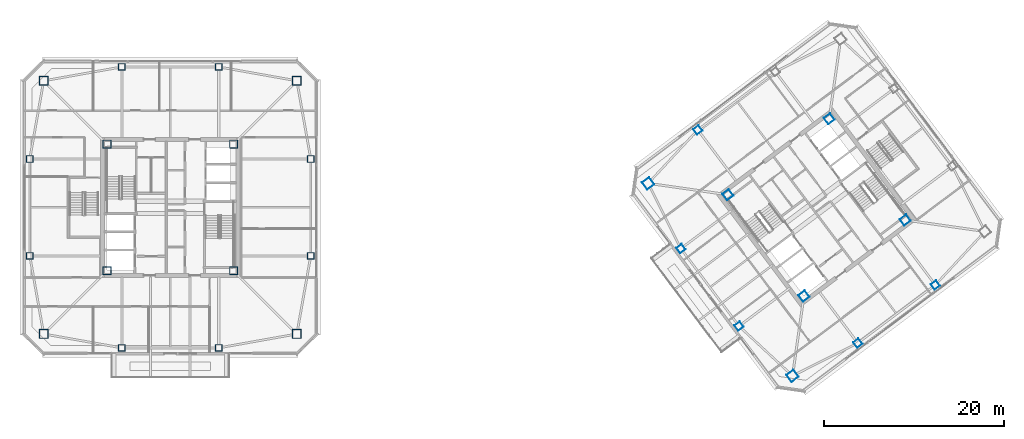
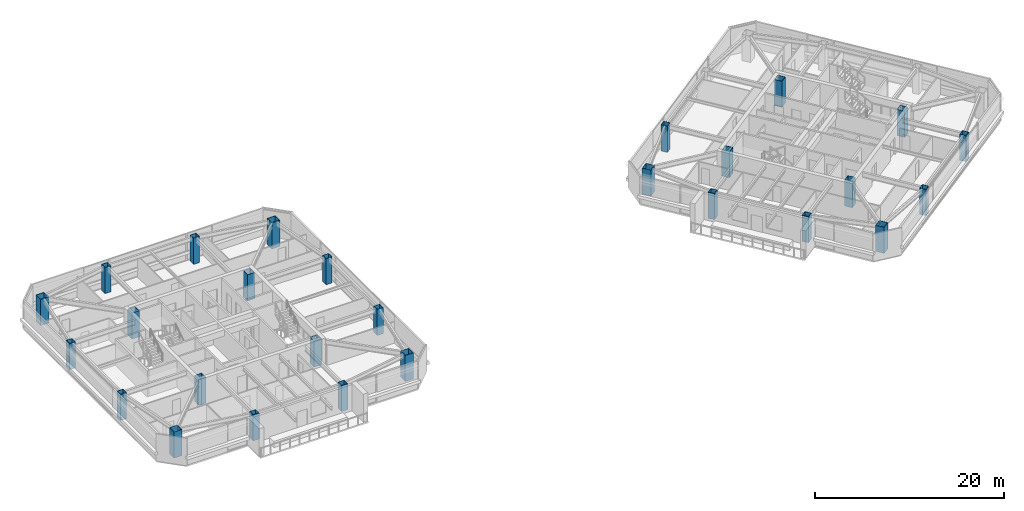
# One storey, part 1 of 39: 27 columns.
"""IFC4 building model written with IfcOpenShell, lengths in metres."""

import ifcopenshell
import ifcopenshell.guid

model = None  # the IFC model being written
_history = None  # IfcOwnerHistory: only IFC2X3 demands one
_inside = {}  # id of a spatial element -> (the spatial element, [elements in it])
_under = {}  # id of a project, library or spatial element -> (it, [spatial elements below it])
_declared = {}  # id of a project -> (the project, [libraries it declares])
_typed = {}  # id of a type object -> (the type object, [elements of that type])
_made_of = {}  # id of a material, layer set ... -> (it, [elements and type objects made of it])


def new_model(schema):
    """Start an empty IFC model of exactly this schema.

    Asked for "IFC4X3", IfcOpenShell would pick the latest addendum, in which some entities
    have other attributes; the version numbers below select the first issue.
    IFC2X3 requires an IfcOwnerHistory on every rooted entity: one is made here for all.
    """
    global model, _history
    if schema == "IFC4X3":
        model = ifcopenshell.file(schema_version=(4, 3, 0, 0))
    else:
        model = ifcopenshell.file(schema=schema)
    _inside.clear()
    _under.clear()
    _declared.clear()
    _typed.clear()
    _made_of.clear()
    _history = None
    if model.schema == "IFC2X3":
        org = make("IfcOrganization", Name="unknown")
        user = make(
            "IfcPersonAndOrganization",
            ThePerson=make("IfcPerson", FamilyName="unknown"),
            TheOrganization=org,
        )
        app = make(
            "IfcApplication",
            ApplicationDeveloper=org,
            Version="unknown",
            ApplicationFullName="unknown",
            ApplicationIdentifier="unknown",
        )
        _history = make(
            "IfcOwnerHistory",
            OwningUser=user,
            OwningApplication=app,
            ChangeAction="ADDED",
            CreationDate=0,
        )
    return model


def make(cls, **values):
    """One entity of the class cls with the attributes given. An attribute that is None is left unset."""
    return model.create_entity(
        cls, **{name: value for name, value in values.items() if value is not None}
    )


def rooted(cls, **values):
    """An entity with a GlobalId (a new one), such as an element, a storey or a relation."""
    return make(cls, GlobalId=ifcopenshell.guid.new(), OwnerHistory=_history, **values)


def si_unit(unit_type, name, prefix=None):
    """IfcSIUnit, for example si_unit("LENGTHUNIT", "METRE", prefix="MILLI")."""
    return make("IfcSIUnit", UnitType=unit_type, Prefix=prefix, Name=name)


def assignment(units):
    """IfcUnitAssignment: the units of a project."""
    return None if units is None else make("IfcUnitAssignment", Units=units)


def point(xyz):
    """IfcCartesianPoint."""
    return None if xyz is None else make("IfcCartesianPoint", Coordinates=xyz)


def direction(xyz):
    """IfcDirection."""
    return None if xyz is None else make("IfcDirection", DirectionRatios=xyz)


def frame(location, z_axis=None, x_axis=None):
    """IfcAxis2Placement3D, a coordinate frame: its origin and axes. An axis left out is left unset."""
    return make(
        "IfcAxis2Placement3D",
        Location=point(location),
        Axis=direction(z_axis),
        RefDirection=direction(x_axis),
    )


def frame_2d(location, x_axis=None):
    """IfcAxis2Placement2D, a coordinate frame in the plane: its origin and x axis."""
    return make(
        "IfcAxis2Placement2D", Location=point(location), RefDirection=direction(x_axis)
    )


def origin():
    """The frame at (0, 0, 0) with its axes left unset."""
    return frame((0.0, 0.0, 0.0))


def origin_2d():
    """The frame at (0, 0) in the plane with its x axis left unset."""
    return frame_2d((0.0, 0.0))


def place(relative_to, where):
    """IfcLocalPlacement: puts the frame where relative to a parent placement (None: the world)."""
    return make(
        "IfcLocalPlacement", PlacementRelTo=relative_to, RelativePlacement=where
    )


def context(
    kind, dimensions, precision=None, world=None, true_north=None, identifier=None
):
    """IfcGeometricRepresentationContext, for example the 3D "Model" context."""
    return make(
        "IfcGeometricRepresentationContext",
        ContextIdentifier=identifier,
        ContextType=kind,
        CoordinateSpaceDimension=dimensions,
        Precision=precision,
        WorldCoordinateSystem=world,
        TrueNorth=true_north,
    )


def subcontext(parent, identifier, kind, view, scale=None):
    """IfcGeometricRepresentationSubContext, for example "Body" below "Model"."""
    return make(
        "IfcGeometricRepresentationSubContext",
        ContextIdentifier=identifier,
        ContextType=kind,
        ParentContext=parent,
        TargetScale=scale,
        TargetView=view,
    )


def project(units=None, contexts=None):
    """IfcProject with its units and contexts."""
    return rooted(
        "IfcProject",
        Name="project",
        RepresentationContexts=contexts,
        UnitsInContext=assignment(units),
    )


def spatial(cls, under=None, at=None, **own):
    """A site, building, storey or space (cls), placed at a placement, below another one or the project."""
    s = rooted(cls, ObjectPlacement=at, **own)
    if under is not None:
        _under.setdefault(under.id(), (under, []))[1].append(s)
    return s


def profile(cls, at=None, kind="AREA", **sizes):
    """A parametric profile (cls). Its sizes go by their IFC names, for example OverallWidth=200.0."""
    return make(cls, ProfileType=kind, Position=at, **sizes)


def hollow_rectangle(**sizes):
    """IfcRectangleHollowProfileDef."""
    return profile("IfcRectangleHollowProfileDef", **sizes)


def extrude(swept, where, along, depth):
    """IfcExtrudedAreaSolid: the profile swept, set in the frame where, extruded along a direction by depth."""
    return make(
        "IfcExtrudedAreaSolid",
        SweptArea=swept,
        Position=where,
        ExtrudedDirection=direction(along),
        Depth=depth,
    )


def shape(context_of_items, identifier, shape_type, items):
    """IfcShapeRepresentation: the items that make up one representation, for example the "Body"."""
    return make(
        "IfcShapeRepresentation",
        ContextOfItems=context_of_items,
        RepresentationIdentifier=identifier,
        RepresentationType=shape_type,
        Items=items,
    )


def material(Name=None, Category=None):
    """IfcMaterial."""
    return make("IfcMaterial", Name=Name, Category=Category)


def material_profile(
    of_material, cross_section, Name=None, Category=None, Priority=None
):
    """IfcMaterialProfile: a cross section and its material."""
    return make(
        "IfcMaterialProfile",
        Name=Name,
        Material=of_material,
        Profile=cross_section,
        Priority=Priority,
        Category=Category,
    )


def profile_set(profiles, Name=None, composite=None):
    """IfcMaterialProfileSet."""
    return make(
        "IfcMaterialProfileSet",
        Name=Name,
        MaterialProfiles=profiles,
        CompositeProfile=composite,
    )


def made_of(thing, what):
    """Note that an element or type object is made of a material, layer set ...; save() writes the relation."""
    if what is not None:
        _made_of.setdefault(what.id(), (what, []))[1].append(thing)
    return thing


def type_object(cls, material=None, **own):
    """A type object (cls), such as IfcWallType, which elements share."""
    return made_of(rooted(cls, **own), material)


def element(
    cls,
    number,
    at=None,
    inside=None,
    cuts=None,
    type_object=None,
    material=None,
    context=None,
    identifier="Body",
    shape_type=None,
    held_by="IfcProductDefinitionShape",
    body=None,
    shapes=None,
    **own,
):
    """One element of the class cls, such as IfcWall. Its Tag is "e" and its number.

    at: its placement. inside: the storey or other place that contains it. cuts: it is an
    opening in that element (IfcRelVoidsElement). A single representation is given by context,
    identifier, shape_type and body (its items); several are given by shapes. held_by: the class
    of the entity that holds the representations. save() writes the other relations.
    """
    e = rooted(cls, Tag="e%d" % number, ObjectPlacement=at, **own)
    if body is not None:
        shapes = [shape(context, identifier, shape_type, body)]
    if shapes is not None:
        e.Representation = make(held_by, Representations=shapes)
    if inside is not None:
        _inside.setdefault(inside.id(), (inside, []))[1].append(e)
    if cuts is not None:
        rooted(
            "IfcRelVoidsElement", RelatingBuildingElement=cuts, RelatedOpeningElement=e
        )
    if type_object is not None:
        _typed.setdefault(type_object.id(), (type_object, []))[1].append(e)
    return made_of(e, material)


def aggregate(whole, parts):
    """IfcRelAggregates: a whole, such as a stair, and the parts it consists of."""
    return rooted("IfcRelAggregates", RelatingObject=whole, RelatedObjects=parts)


def save(model, path):
    """Write the relations noted so far, then the file.

    IfcRelAggregates (storeys below a building ...), IfcRelContainedInSpatialStructure (elements
    in a storey), IfcRelDefinesByType, IfcRelAssociatesMaterial and IfcRelDeclares: one each for
    every whole, place, type object, material and project.
    """
    for whole, parts in _under.values():
        aggregate(whole, parts)
    for where, things in _inside.values():
        rooted(
            "IfcRelContainedInSpatialStructure",
            RelatedElements=things,
            RelatingStructure=where,
        )
    for kind, things in _typed.values():
        rooted("IfcRelDefinesByType", RelatedObjects=things, RelatingType=kind)
    for what, things in _made_of.values():
        rooted("IfcRelAssociatesMaterial", RelatedObjects=things, RelatingMaterial=what)
    for by, libraries in _declared.values():
        rooted("IfcRelDeclares", RelatingContext=by, RelatedDefinitions=libraries)
    model.write(path)


model = new_model("IFC4")

# Units and contexts
model_context = context("Model", 3, precision=1e-05, world=origin(), true_north=direction((0.0, 1.0)))
body_context = subcontext(model_context, "Body", "Model", "MODEL_VIEW")
ifc_project = project(units=[si_unit("LENGTHUNIT", "METRE"), si_unit("AREAUNIT", "SQUARE_METRE"), si_unit("VOLUMEUNIT", "CUBIC_METRE"), si_unit("PLANEANGLEUNIT", "RADIAN"), si_unit("MASSUNIT", "GRAM", prefix="KILO")], contexts=[model_context])

# Site, building, storey
site_placement = place(None, origin())
site = spatial("IfcSite", under=ifc_project, at=site_placement, CompositionType="ELEMENT")
building_placement = place(site_placement, origin())
building = spatial("IfcBuilding", under=site, at=building_placement, Name="Tashvorn Skyway Center", CompositionType="ELEMENT")
storey_placement = place(building_placement, frame((0.0, 0.0, 225.5)))
storey = spatial("IfcBuildingStorey", under=building, at=storey_placement, Name="L61", CompositionType="ELEMENT", Elevation=225.5)

# Columns
ifc_material = material(Name="Steel ASTM A572 Grade 50", Category="steel")
ifc_material_profile_1 = material_profile(ifc_material, hollow_rectangle(XDim=1.0, YDim=1.0, WallThickness=0.0400390625, at=origin_2d()), Name="BOX1000x1000x40")
ifc_profile_set_1 = profile_set([ifc_material_profile_1], Name="Steel ASTM A572 Grade 50")
column_type_1 = type_object("IfcColumnType", Name="COL-BOX1000x1000x40", PredefinedType="COLUMN", material=ifc_profile_set_1)
for number, where, z_axis, x_axis, name in (
    (1, (27.89990234375, 17.89990234375, 0.0), (0.0, 0.0, 1.0), (1.0, 0.0, 0.0), "Tower 1 L61 Mega-Column MC-SW"),
    (2, (56.10009765625, 17.89990234375, 0.0), (0.0, 0.0, 1.0), (1.0, 0.0, 0.0), "Tower 1 L61 Mega-Column MC-SE"),
    (3, (56.10009765625, 46.10009765625, 0.0), (0.0, 0.0, 1.0), (1.0, 0.0, 0.0), "Tower 1 L61 Mega-Column MC-NE"),
    (4, (27.89990234375, 46.10009765625, 0.0), (0.0, 0.0, 1.0), (1.0, 0.0, 0.0), "Tower 1 L61 Mega-Column MC-NW"),
    (5, (111.320068359375, 13.239990234375, 0.0), (0.0, 0.0, 1.0), (0.799999996291, 0.600000004945, 0.0), "Tower 2 L61 Mega-Column MC-SW"),
    (6, (95.239990234375, 34.679931640625, 0.0), (0.0, 0.0, 1.0), (0.799999996291, 0.600000004945, 0.0), "Tower 2 L61 Mega-Column MC-NW"),
):
    element("IfcColumn", number, at=place(storey_placement, frame(where, z_axis=z_axis, x_axis=x_axis)), inside=storey, type_object=column_type_1, Name=name, PredefinedType="COLUMN", context=body_context, shape_type="SweptSolid", body=[
        extrude(hollow_rectangle(XDim=1.0, YDim=1.0, WallThickness=0.0400390625, at=origin_2d()), origin(), (0.0, 0.0, 1.0), 3.3701171875),
    ])
ifc_material_profile_2 = material_profile(ifc_material, hollow_rectangle(XDim=0.75, YDim=0.75, WallThickness=0.031982421875, at=origin_2d()), Name="BOX750x750x32")
ifc_profile_set_2 = profile_set([ifc_material_profile_2], Name="Steel ASTM A572 Grade 50")
column_type_2 = type_object("IfcColumnType", Name="COL-BOX750x750x32", PredefinedType="COLUMN", material=ifc_profile_set_2)
for number, where, z_axis, x_axis, name in (
    (7, (36.60009765625, 16.35009765625, 0.0), (0.0, 0.0, 1.0), (1.0, 0.0, 0.0), "Tower 1 L61 Perimeter Column FC-S1"),
    (8, (47.39990234375, 16.35009765625, 0.0), (0.0, 0.0, 1.0), (1.0, 0.0, 0.0), "Tower 1 L61 Perimeter Column FC-S2"),
    (9, (57.64990234375, 26.60009765625, 0.0), (0.0, 0.0, 1.0), (1.0, 0.0, 0.0), "Tower 1 L61 Perimeter Column FC-E1"),
    (10, (57.64990234375, 37.39990234375, 0.0), (0.0, 0.0, 1.0), (1.0, 0.0, 0.0), "Tower 1 L61 Perimeter Column FC-E2"),
    (11, (47.39990234375, 47.64990234375, 0.0), (0.0, 0.0, 1.0), (1.0, 0.0, 0.0), "Tower 1 L61 Perimeter Column FC-N1"),
    (12, (36.60009765625, 47.64990234375, 0.0), (0.0, 0.0, 1.0), (1.0, 0.0, 0.0), "Tower 1 L61 Perimeter Column FC-N2"),
    (13, (26.35009765625, 37.39990234375, 0.0), (0.0, 0.0, 1.0), (1.0, 0.0, 0.0), "Tower 1 L61 Perimeter Column FC-W1"),
    (14, (26.35009765625, 26.60009765625, 0.0), (0.0, 0.0, 1.0), (1.0, 0.0, 0.0), "Tower 1 L61 Perimeter Column FC-W2"),
    (15, (118.590087890625, 16.8798828125, 0.0), (0.0, 0.0, 1.0), (0.799999996291, 0.600000004945, 0.0), "Tower 2 L61 Perimeter Column FC-S1"),
    (16, (127.22998046875, 23.360107421875, 0.0), (0.0, 0.0, 1.0), (0.799999996291, 0.600000004945, 0.0), "Tower 2 L61 Perimeter Column FC-S2"),
    (17, (100.77001953125, 40.639892578125, 0.0), (0.0, 0.0, 1.0), (0.799999996291, 0.600000004945, 0.0), "Tower 2 L61 Perimeter Column FC-N2"),
    (18, (98.8798828125, 27.409912109375, 0.0), (0.0, 0.0, 1.0), (0.799999996291, 0.600000004945, 0.0), "Tower 2 L61 Perimeter Column FC-W1"),
    (19, (105.360107421875, 18.77001953125, 0.0), (0.0, 0.0, 1.0), (0.799999996291, 0.600000004945, 0.0), "Tower 2 L61 Perimeter Column FC-W2"),
):
    element("IfcColumn", number, at=place(storey_placement, frame(where, z_axis=z_axis, x_axis=x_axis)), inside=storey, type_object=column_type_2, Name=name, PredefinedType="COLUMN", context=body_context, shape_type="SweptSolid", body=[
        extrude(hollow_rectangle(XDim=0.75, YDim=0.75, WallThickness=0.031982421875, at=origin_2d()), origin(), (0.0, 0.0, 1.0), 3.3701171875),
    ])
ifc_material_profile_3 = material_profile(ifc_material, hollow_rectangle(XDim=0.89990234375, YDim=0.89990234375, WallThickness=0.0400390625, at=origin_2d()), Name="BOX900x900x40")
ifc_profile_set_3 = profile_set([ifc_material_profile_3], Name="Steel ASTM A572 Grade 50")
column_type_3 = type_object("IfcColumnType", Name="COL-BOX900x900x40", PredefinedType="COLUMN", material=ifc_profile_set_3)
for number, where, z_axis, x_axis, name in (
    (20, (34.949951171875, 24.949951171875, 0.0), (0.0, 0.0, 1.0), (1.0, 0.0, 0.0), "Tower 1 L61 Core Corner Column CC-SW"),
    (21, (49.050048828125, 24.949951171875, 0.0), (0.0, 0.0, 1.0), (1.0, 0.0, 0.0), "Tower 1 L61 Core Corner Column CC-SE"),
    (22, (49.050048828125, 39.050048828125, 0.0), (0.0, 0.0, 1.0), (1.0, 0.0, 0.0), "Tower 1 L61 Core Corner Column CC-NE"),
    (23, (34.949951171875, 39.050048828125, 0.0), (0.0, 0.0, 1.0), (1.0, 0.0, 0.0), "Tower 1 L61 Core Corner Column CC-NW"),
    (24, (112.590087890625, 22.1298828125, 0.0), (0.0, 0.0, 1.0), (0.799999996291, 0.600000004945, 0.0), "Tower 2 L61 Core Corner Column CC-SW"),
    (25, (123.8701171875, 30.590087890625, 0.0), (0.0, 0.0, 1.0), (0.799999996291, 0.600000004945, 0.0), "Tower 2 L61 Core Corner Column CC-SE"),
    (26, (115.409912109375, 41.8701171875, 0.0), (0.0, 0.0, 1.0), (0.799999996291, 0.600000004945, 0.0), "Tower 2 L61 Core Corner Column CC-NE"),
    (27, (104.1298828125, 33.409912109375, 0.0), (0.0, 0.0, 1.0), (0.799999996291, 0.600000004945, 0.0), "Tower 2 L61 Core Corner Column CC-NW"),
):
    element("IfcColumn", number, at=place(storey_placement, frame(where, z_axis=z_axis, x_axis=x_axis)), inside=storey, type_object=column_type_3, Name=name, PredefinedType="COLUMN", context=body_context, shape_type="SweptSolid", body=[
        extrude(hollow_rectangle(XDim=0.89990234375, YDim=0.89990234375, WallThickness=0.0400390625, at=origin_2d()), origin(), (0.0, 0.0, 1.0), 3.3701171875),
    ])

save(model, "model.ifc")
